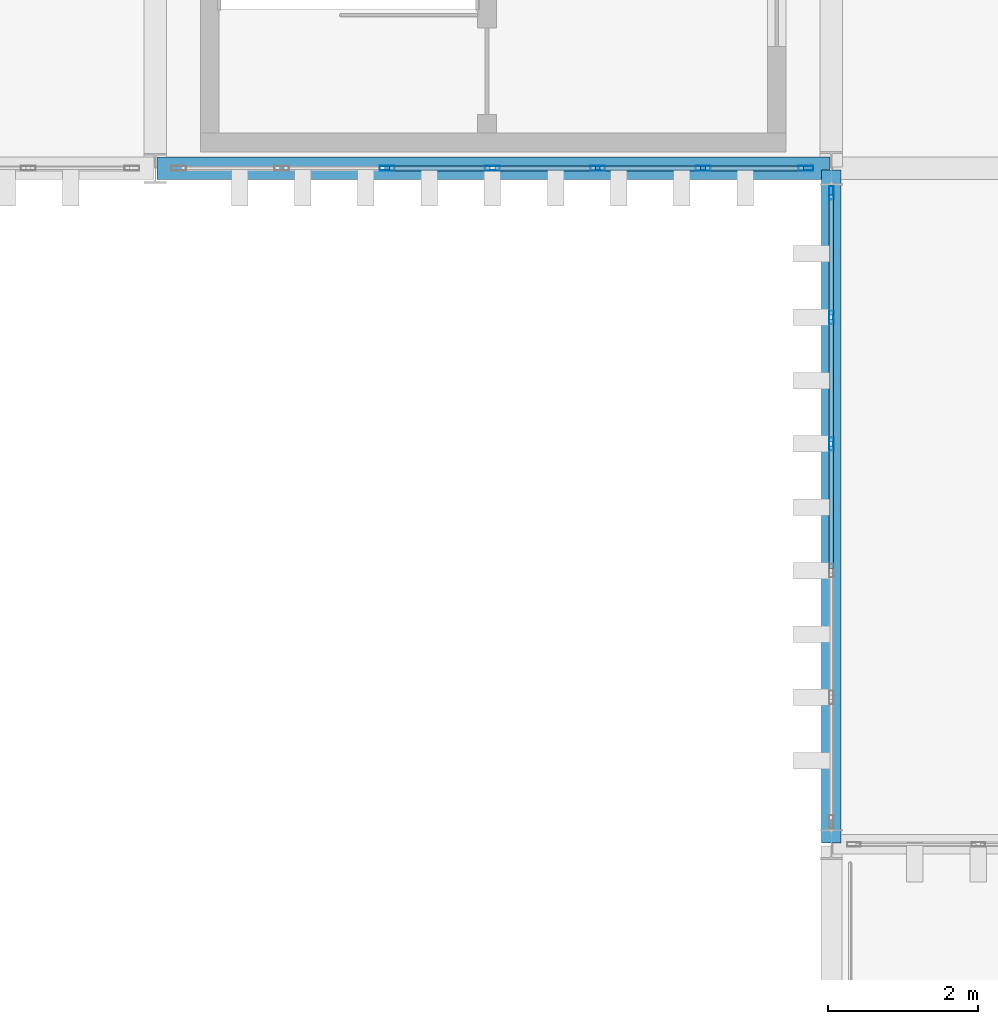
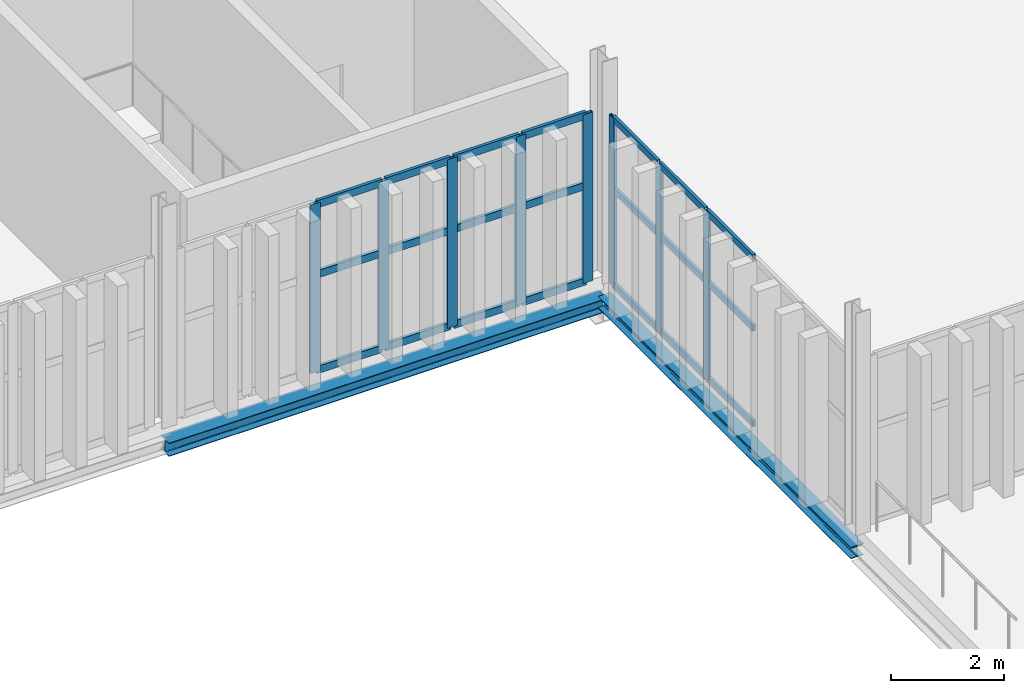
# One storey, part 40 of 196: 29 members, 2 beams, 2 elements without a shape of their own.
"""IFC4 building model written with IfcOpenShell, lengths in metres."""

from ifc_helpers import new_model, si_unit, direction, frame, origin, origin_2d, place, context, subcontext, project, spatial, hollow_rectangle, i_section, extrude, material, layer, layer_set, material_profile, profile_set, type_object, element, aggregate, save


model = new_model("IFC4")

# Units and contexts
model_context = context("Model", 3, precision=1e-05, world=origin(), true_north=direction((0.0, 1.0)))
body_context = subcontext(model_context, "Body", "Model", "MODEL_VIEW")
ifc_project = project(units=[si_unit("LENGTHUNIT", "METRE"), si_unit("AREAUNIT", "SQUARE_METRE"), si_unit("VOLUMEUNIT", "CUBIC_METRE"), si_unit("PLANEANGLEUNIT", "RADIAN"), si_unit("MASSUNIT", "GRAM", prefix="KILO")], contexts=[model_context])

# Site, building, storey
site_placement = place(None, origin())
site = spatial("IfcSite", under=ifc_project, at=site_placement, CompositionType="ELEMENT")
building_placement = place(site_placement, origin())
building = spatial("IfcBuilding", under=site, at=building_placement, Name="Barlavento Convention Centre", CompositionType="ELEMENT")
storey_placement = place(building_placement, frame((0.0, 0.0, 18.0)))
storey = spatial("IfcBuildingStorey", under=building, at=storey_placement, Name="L03", CompositionType="ELEMENT", Elevation=18.0)

# Curtain wall, members
ifc_material_1 = material(Name="Powder-coated aluminium and Low-E glass", Category="aluminium")
ifc_layer = layer(ifc_material_1, 0.179931640625)
ifc_layer_set = layer_set([ifc_layer], Name="ARC-CW-CONF-L03")
curtain_wall_type = type_object("IfcCurtainWallType", Name="ARC-CW-CONF-L03", PredefinedType="NOTDEFINED", material=ifc_layer_set)
curtain_wall_1_placement = place(storey_placement, origin())
curtain_wall_1 = element("IfcCurtainWall", 1, at=curtain_wall_1_placement, inside=storey, type_object=curtain_wall_type, Name="L03 unitised curtain wall CW08", PredefinedType="NOTDEFINED")
ifc_material_2 = material(Name="Powder-coated aluminium", Category="aluminium")
ifc_material_profile_1 = material_profile(ifc_material_2, hollow_rectangle(XDim=0.06005859375, YDim=0.179931640625, WallThickness=0.0048828125, at=origin_2d()), Name="AL-MULL 60x180x5")
ifc_profile_set_1 = profile_set([ifc_material_profile_1], Name="Powder-coated aluminium")
member_type_1 = type_object("IfcMemberType", Name="ARC-CWM-60X180", PredefinedType="MULLION", material=ifc_profile_set_1)
member_1_placement = place(storey_placement, frame((126.0, 41.3310546875, 0.0), z_axis=(0.0, 0.0, 1.0), x_axis=(-1.0, 0.0, 0.0)))
member_1 = element("IfcMember", 2, at=member_1_placement, type_object=member_type_1, Name="CW08 mullion 4", PredefinedType="MULLION", context=body_context, shape_type="SweptSolid", body=[
    extrude(hollow_rectangle(XDim=0.06005859375, YDim=0.179931640625, WallThickness=0.0048828125, at=origin_2d()), origin(), (0.0, 0.0, 1.0), 3.64990234375),
])
member_2_placement = place(storey_placement, frame((126.0, 43.01806640625, 0.0), z_axis=(0.0, 0.0, 1.0), x_axis=(-1.0, 0.0, 0.0)))
member_2 = element("IfcMember", 3, at=member_2_placement, type_object=member_type_1, Name="CW08 mullion 5", PredefinedType="MULLION", context=body_context, shape_type="SweptSolid", body=[
    extrude(hollow_rectangle(XDim=0.06005859375, YDim=0.179931640625, WallThickness=0.0048828125, at=origin_2d()), origin(), (0.0, 0.0, 1.0), 3.64990234375),
])
member_3_placement = place(storey_placement, frame((126.0, 44.675048828125, 0.0), z_axis=(0.0, 0.0, 1.0), x_axis=(-1.0, 0.0, 0.0)))
member_3 = element("IfcMember", 4, at=member_3_placement, type_object=member_type_1, Name="CW08 mullion 6", PredefinedType="MULLION", context=body_context, shape_type="SweptSolid", body=[
    extrude(hollow_rectangle(XDim=0.06005859375, YDim=0.179931640625, WallThickness=0.0048828125, at=origin_2d()), origin(), (0.0, 0.0, 1.0), 3.64990234375),
])

curtain_wall_2_placement = place(storey_placement, origin())
curtain_wall_2 = element("IfcCurtainWall", 5, at=curtain_wall_2_placement, inside=storey, type_object=curtain_wall_type, Name="L03 unitised curtain wall CW08", PredefinedType="NOTDEFINED")
ifc_material_profile_2 = material_profile(ifc_material_2, hollow_rectangle(XDim=0.06494140625, YDim=0.199951171875, WallThickness=0.0048828125, at=origin_2d()), Name="AL-MULL 65x200x5")
ifc_profile_set_2 = profile_set([ifc_material_profile_2], Name="Powder-coated aluminium")
member_type_2 = type_object("IfcMemberType", Name="ARC-CWM-65X200", PredefinedType="MULLION", material=ifc_profile_set_2)
member_4_placement = place(storey_placement, frame((120.0849609375, 45.0, 0.0), z_axis=(0.0, 0.0, 1.0), x_axis=(0.0, 1.0, 0.0)))
member_4 = element("IfcMember", 6, at=member_4_placement, type_object=member_type_2, Name="CW08 mullion 3", PredefinedType="MULLION", context=body_context, shape_type="SweptSolid", body=[
    extrude(hollow_rectangle(XDim=0.06494140625, YDim=0.199951171875, WallThickness=0.0048828125, at=origin_2d()), origin(), (0.0, 0.0, 1.0), 3.64990234375),
])
member_5_placement = place(storey_placement, frame((121.487548828125, 45.0, 0.0), z_axis=(0.0, 0.0, 1.0), x_axis=(0.0, 1.0, 0.0)))
member_5 = element("IfcMember", 7, at=member_5_placement, type_object=member_type_2, Name="CW08 mullion 4", PredefinedType="MULLION", context=body_context, shape_type="SweptSolid", body=[
    extrude(hollow_rectangle(XDim=0.06494140625, YDim=0.199951171875, WallThickness=0.0048828125, at=origin_2d()), origin(), (0.0, 0.0, 1.0), 3.64990234375),
])
member_6_placement = place(storey_placement, frame((122.889892578125, 45.0, 0.0), z_axis=(0.0, 0.0, 1.0), x_axis=(0.0, 1.0, 0.0)))
member_6 = element("IfcMember", 8, at=member_6_placement, type_object=member_type_2, Name="CW08 mullion 5", PredefinedType="MULLION", context=body_context, shape_type="SweptSolid", body=[
    extrude(hollow_rectangle(XDim=0.06494140625, YDim=0.199951171875, WallThickness=0.0048828125, at=origin_2d()), origin(), (0.0, 0.0, 1.0), 3.64990234375),
])
member_7_placement = place(storey_placement, frame((124.29248046875, 45.0, 0.0), z_axis=(0.0, 0.0, 1.0), x_axis=(0.0, 1.0, 0.0)))
member_7 = element("IfcMember", 9, at=member_7_placement, type_object=member_type_2, Name="CW08 mullion 6", PredefinedType="MULLION", context=body_context, shape_type="SweptSolid", body=[
    extrude(hollow_rectangle(XDim=0.06494140625, YDim=0.199951171875, WallThickness=0.0048828125, at=origin_2d()), origin(), (0.0, 0.0, 1.0), 3.64990234375),
])
member_8_placement = place(storey_placement, frame((125.66259765625, 45.0, 0.0), z_axis=(0.0, 0.0, 1.0), x_axis=(0.0, 1.0, 0.0)))
member_8 = element("IfcMember", 10, at=member_8_placement, type_object=member_type_2, Name="CW08 mullion 7", PredefinedType="MULLION", context=body_context, shape_type="SweptSolid", body=[
    extrude(hollow_rectangle(XDim=0.06494140625, YDim=0.199951171875, WallThickness=0.0048828125, at=origin_2d()), origin(), (0.0, 0.0, 1.0), 3.64990234375),
])

# Member
ifc_material_profile_3 = material_profile(ifc_material_2, hollow_rectangle(XDim=0.06005859375, YDim=0.139892578125, WallThickness=0.00390625, at=origin_2d()), Name="AL-TRAN 60x140x4")
ifc_profile_set_3 = profile_set([ifc_material_profile_3], Name="Powder-coated aluminium")
member_type_3 = type_object("IfcMemberType", Name="ARC-CWT-60X140", PredefinedType="USERDEFINED", material=ifc_profile_set_3)
member_9_placement = place(storey_placement, frame((126.0, 39.674072265625, 0.030029296875), z_axis=(0.0, 1.0, 0.0), x_axis=(-1.0, 0.0, 0.0)))
member_9 = element("IfcMember", 11, at=member_9_placement, type_object=member_type_3, Name="CW08 transom 3.1", ObjectType="TRANSOM", PredefinedType="USERDEFINED", context=body_context, shape_type="SweptSolid", body=[
    extrude(hollow_rectangle(XDim=0.06005859375, YDim=0.139892578125, WallThickness=0.00390625, at=origin_2d()), origin(), (0.0, 0.0, 1.0), 1.626953125),
])

member_10_placement = place(storey_placement, frame((126.0, 39.674072265625, 2.10009765625), z_axis=(0.0, 1.0, 0.0), x_axis=(-1.0, 0.0, 0.0)))
member_10 = element("IfcMember", 12, at=member_10_placement, type_object=member_type_3, Name="CW08 transom 3.2", ObjectType="TRANSOM", PredefinedType="USERDEFINED", context=body_context, shape_type="SweptSolid", body=[
    extrude(hollow_rectangle(XDim=0.06005859375, YDim=0.139892578125, WallThickness=0.00390625, at=origin_2d()), origin(), (0.0, 0.0, 1.0), 1.626953125),
])

member_11_placement = place(storey_placement, frame((126.0, 39.674072265625, 3.6201171875), z_axis=(0.0, 1.0, 0.0), x_axis=(-1.0, 0.0, 0.0)))
member_11 = element("IfcMember", 13, at=member_11_placement, type_object=member_type_3, Name="CW08 transom 3.3", ObjectType="TRANSOM", PredefinedType="USERDEFINED", context=body_context, shape_type="SweptSolid", body=[
    extrude(hollow_rectangle(XDim=0.06005859375, YDim=0.139892578125, WallThickness=0.00390625, at=origin_2d()), origin(), (0.0, 0.0, 1.0), 1.626953125),
])

member_12_placement = place(storey_placement, frame((126.0, 41.361083984375, 0.030029296875), z_axis=(0.0, 1.0, 0.0), x_axis=(-1.0, 0.0, 0.0)))
member_12 = element("IfcMember", 14, at=member_12_placement, type_object=member_type_3, Name="CW08 transom 4.1", ObjectType="TRANSOM", PredefinedType="USERDEFINED", context=body_context, shape_type="SweptSolid", body=[
    extrude(hollow_rectangle(XDim=0.06005859375, YDim=0.139892578125, WallThickness=0.00390625, at=origin_2d()), origin(), (0.0, 0.0, 1.0), 1.626953125),
])

member_13_placement = place(storey_placement, frame((126.0, 41.361083984375, 2.10009765625), z_axis=(0.0, 1.0, 0.0), x_axis=(-1.0, 0.0, 0.0)))
member_13 = element("IfcMember", 15, at=member_13_placement, type_object=member_type_3, Name="CW08 transom 4.2", ObjectType="TRANSOM", PredefinedType="USERDEFINED", context=body_context, shape_type="SweptSolid", body=[
    extrude(hollow_rectangle(XDim=0.06005859375, YDim=0.139892578125, WallThickness=0.00390625, at=origin_2d()), origin(), (0.0, 0.0, 1.0), 1.626953125),
])

member_14_placement = place(storey_placement, frame((126.0, 41.361083984375, 3.6201171875), z_axis=(0.0, 1.0, 0.0), x_axis=(-1.0, 0.0, 0.0)))
member_14 = element("IfcMember", 16, at=member_14_placement, type_object=member_type_3, Name="CW08 transom 4.3", ObjectType="TRANSOM", PredefinedType="USERDEFINED", context=body_context, shape_type="SweptSolid", body=[
    extrude(hollow_rectangle(XDim=0.06005859375, YDim=0.139892578125, WallThickness=0.00390625, at=origin_2d()), origin(), (0.0, 0.0, 1.0), 1.626953125),
])

member_15_placement = place(storey_placement, frame((126.0, 43.048095703125, 0.030029296875), z_axis=(0.0, 1.0, 0.0), x_axis=(-1.0, 0.0, 0.0)))
member_15 = element("IfcMember", 17, at=member_15_placement, type_object=member_type_3, Name="CW08 transom 5.1", ObjectType="TRANSOM", PredefinedType="USERDEFINED", context=body_context, shape_type="SweptSolid", body=[
    extrude(hollow_rectangle(XDim=0.06005859375, YDim=0.139892578125, WallThickness=0.00390625, at=origin_2d()), origin(), (0.0, 0.0, 1.0), 1.596923828125),
])

member_16_placement = place(storey_placement, frame((126.0, 43.048095703125, 2.10009765625), z_axis=(0.0, 1.0, 0.0), x_axis=(-1.0, 0.0, 0.0)))
member_16 = element("IfcMember", 18, at=member_16_placement, type_object=member_type_3, Name="CW08 transom 5.2", ObjectType="TRANSOM", PredefinedType="USERDEFINED", context=body_context, shape_type="SweptSolid", body=[
    extrude(hollow_rectangle(XDim=0.06005859375, YDim=0.139892578125, WallThickness=0.00390625, at=origin_2d()), origin(), (0.0, 0.0, 1.0), 1.596923828125),
])

member_17_placement = place(storey_placement, frame((126.0, 43.048095703125, 3.6201171875), z_axis=(0.0, 1.0, 0.0), x_axis=(-1.0, 0.0, 0.0)))
member_17 = element("IfcMember", 19, at=member_17_placement, type_object=member_type_3, Name="CW08 transom 5.3", ObjectType="TRANSOM", PredefinedType="USERDEFINED", context=body_context, shape_type="SweptSolid", body=[
    extrude(hollow_rectangle(XDim=0.06005859375, YDim=0.139892578125, WallThickness=0.00390625, at=origin_2d()), origin(), (0.0, 0.0, 1.0), 1.596923828125),
])

aggregate(curtain_wall_1, [member_1, member_2, member_3, member_9, member_10, member_11, member_12, member_13, member_14, member_15, member_16, member_17])

ifc_material_profile_4 = material_profile(ifc_material_2, hollow_rectangle(XDim=0.06494140625, YDim=0.159912109375, WallThickness=0.0048828125, at=origin_2d()), Name="AL-TRAN 65x160x5")
ifc_profile_set_4 = profile_set([ifc_material_profile_4], Name="Powder-coated aluminium")
member_type_4 = type_object("IfcMemberType", Name="ARC-CWT-65X160", PredefinedType="USERDEFINED", material=ifc_profile_set_4)
member_18_placement = place(storey_placement, frame((120.117431640625, 45.0, 0.032470703125), z_axis=(1.0, 0.0, 0.0), x_axis=(0.0, 1.0, 0.0)))
member_18 = element("IfcMember", 20, at=member_18_placement, type_object=member_type_4, Name="CW08 transom 3.1", ObjectType="TRANSOM", PredefinedType="USERDEFINED", context=body_context, shape_type="SweptSolid", body=[
    extrude(hollow_rectangle(XDim=0.06494140625, YDim=0.159912109375, WallThickness=0.0048828125, at=origin_2d()), origin(), (0.0, 0.0, 1.0), 1.337646484375),
])

member_19_placement = place(storey_placement, frame((120.117431640625, 45.0, 2.10009765625), z_axis=(1.0, 0.0, 0.0), x_axis=(0.0, 1.0, 0.0)))
member_19 = element("IfcMember", 21, at=member_19_placement, type_object=member_type_4, Name="CW08 transom 3.2", ObjectType="TRANSOM", PredefinedType="USERDEFINED", context=body_context, shape_type="SweptSolid", body=[
    extrude(hollow_rectangle(XDim=0.06494140625, YDim=0.159912109375, WallThickness=0.0048828125, at=origin_2d()), origin(), (0.0, 0.0, 1.0), 1.337646484375),
])

member_20_placement = place(storey_placement, frame((120.117431640625, 45.0, 3.617431640625), z_axis=(1.0, 0.0, 0.0), x_axis=(0.0, 1.0, 0.0)))
member_20 = element("IfcMember", 22, at=member_20_placement, type_object=member_type_4, Name="CW08 transom 3.3", ObjectType="TRANSOM", PredefinedType="USERDEFINED", context=body_context, shape_type="SweptSolid", body=[
    extrude(hollow_rectangle(XDim=0.06494140625, YDim=0.159912109375, WallThickness=0.0048828125, at=origin_2d()), origin(), (0.0, 0.0, 1.0), 1.337646484375),
])

member_21_placement = place(storey_placement, frame((121.52001953125, 45.0, 0.032470703125), z_axis=(1.0, 0.0, 0.0), x_axis=(0.0, 1.0, 0.0)))
member_21 = element("IfcMember", 23, at=member_21_placement, type_object=member_type_4, Name="CW08 transom 4.1", ObjectType="TRANSOM", PredefinedType="USERDEFINED", context=body_context, shape_type="SweptSolid", body=[
    extrude(hollow_rectangle(XDim=0.06494140625, YDim=0.159912109375, WallThickness=0.0048828125, at=origin_2d()), origin(), (0.0, 0.0, 1.0), 1.33740234375),
])

member_22_placement = place(storey_placement, frame((121.52001953125, 45.0, 2.10009765625), z_axis=(1.0, 0.0, 0.0), x_axis=(0.0, 1.0, 0.0)))
member_22 = element("IfcMember", 24, at=member_22_placement, type_object=member_type_4, Name="CW08 transom 4.2", ObjectType="TRANSOM", PredefinedType="USERDEFINED", context=body_context, shape_type="SweptSolid", body=[
    extrude(hollow_rectangle(XDim=0.06494140625, YDim=0.159912109375, WallThickness=0.0048828125, at=origin_2d()), origin(), (0.0, 0.0, 1.0), 1.33740234375),
])

member_23_placement = place(storey_placement, frame((121.52001953125, 45.0, 3.617431640625), z_axis=(1.0, 0.0, 0.0), x_axis=(0.0, 1.0, 0.0)))
member_23 = element("IfcMember", 25, at=member_23_placement, type_object=member_type_4, Name="CW08 transom 4.3", ObjectType="TRANSOM", PredefinedType="USERDEFINED", context=body_context, shape_type="SweptSolid", body=[
    extrude(hollow_rectangle(XDim=0.06494140625, YDim=0.159912109375, WallThickness=0.0048828125, at=origin_2d()), origin(), (0.0, 0.0, 1.0), 1.33740234375),
])

member_24_placement = place(storey_placement, frame((122.922607421875, 45.0, 0.032470703125), z_axis=(1.0, 0.0, 0.0), x_axis=(0.0, 1.0, 0.0)))
member_24 = element("IfcMember", 26, at=member_24_placement, type_object=member_type_4, Name="CW08 transom 5.1", ObjectType="TRANSOM", PredefinedType="USERDEFINED", context=body_context, shape_type="SweptSolid", body=[
    extrude(hollow_rectangle(XDim=0.06494140625, YDim=0.159912109375, WallThickness=0.0048828125, at=origin_2d()), origin(), (0.0, 0.0, 1.0), 1.33740234375),
])

member_25_placement = place(storey_placement, frame((122.922607421875, 45.0, 2.10009765625), z_axis=(1.0, 0.0, 0.0), x_axis=(0.0, 1.0, 0.0)))
member_25 = element("IfcMember", 27, at=member_25_placement, type_object=member_type_4, Name="CW08 transom 5.2", ObjectType="TRANSOM", PredefinedType="USERDEFINED", context=body_context, shape_type="SweptSolid", body=[
    extrude(hollow_rectangle(XDim=0.06494140625, YDim=0.159912109375, WallThickness=0.0048828125, at=origin_2d()), origin(), (0.0, 0.0, 1.0), 1.33740234375),
])

member_26_placement = place(storey_placement, frame((122.922607421875, 45.0, 3.617431640625), z_axis=(1.0, 0.0, 0.0), x_axis=(0.0, 1.0, 0.0)))
member_26 = element("IfcMember", 28, at=member_26_placement, type_object=member_type_4, Name="CW08 transom 5.3", ObjectType="TRANSOM", PredefinedType="USERDEFINED", context=body_context, shape_type="SweptSolid", body=[
    extrude(hollow_rectangle(XDim=0.06494140625, YDim=0.159912109375, WallThickness=0.0048828125, at=origin_2d()), origin(), (0.0, 0.0, 1.0), 1.33740234375),
])

member_27_placement = place(storey_placement, frame((124.324951171875, 45.0, 0.032470703125), z_axis=(1.0, 0.0, 0.0), x_axis=(0.0, 1.0, 0.0)))
member_27 = element("IfcMember", 29, at=member_27_placement, type_object=member_type_4, Name="CW08 transom 6.1", ObjectType="TRANSOM", PredefinedType="USERDEFINED", context=body_context, shape_type="SweptSolid", body=[
    extrude(hollow_rectangle(XDim=0.06494140625, YDim=0.159912109375, WallThickness=0.0048828125, at=origin_2d()), origin(), (0.0, 0.0, 1.0), 1.304931640625),
])

member_28_placement = place(storey_placement, frame((124.324951171875, 45.0, 2.10009765625), z_axis=(1.0, 0.0, 0.0), x_axis=(0.0, 1.0, 0.0)))
member_28 = element("IfcMember", 30, at=member_28_placement, type_object=member_type_4, Name="CW08 transom 6.2", ObjectType="TRANSOM", PredefinedType="USERDEFINED", context=body_context, shape_type="SweptSolid", body=[
    extrude(hollow_rectangle(XDim=0.06494140625, YDim=0.159912109375, WallThickness=0.0048828125, at=origin_2d()), origin(), (0.0, 0.0, 1.0), 1.304931640625),
])

member_29_placement = place(storey_placement, frame((124.324951171875, 45.0, 3.617431640625), z_axis=(1.0, 0.0, 0.0), x_axis=(0.0, 1.0, 0.0)))
member_29 = element("IfcMember", 31, at=member_29_placement, type_object=member_type_4, Name="CW08 transom 6.3", ObjectType="TRANSOM", PredefinedType="USERDEFINED", context=body_context, shape_type="SweptSolid", body=[
    extrude(hollow_rectangle(XDim=0.06494140625, YDim=0.159912109375, WallThickness=0.0048828125, at=origin_2d()), origin(), (0.0, 0.0, 1.0), 1.304931640625),
])

aggregate(curtain_wall_2, [member_4, member_5, member_6, member_7, member_8, member_18, member_19, member_20, member_21, member_22, member_23, member_24, member_25, member_26, member_27, member_28, member_29])

# Beams
ifc_material_3 = material(Name="Steel S355", Category="steel")
ifc_material_profile_5 = material_profile(ifc_material_3, i_section(OverallWidth=0.260009765625, OverallDepth=0.25, WebThickness=0.007568359375, FlangeThickness=0.012451171875, FilletRadius=0.02392578125, at=origin_2d()), Name="HEA 260")
ifc_profile_set_5 = profile_set([ifc_material_profile_5], Name="Steel S355")
beam_type_1 = type_object("IfcBeamType", Name="STR-BM-SPN-HEA260", PredefinedType="SPANDREL", material=ifc_profile_set_5)
beam_1_placement = place(storey_placement, frame((126.0, 36.02001953125, -0.514892578125), z_axis=(0.0, 1.0, 0.0), x_axis=(-1.0, 0.0, 0.0)))
element("IfcBeam", 32, at=beam_1_placement, inside=storey, type_object=beam_type_1, Name="L03 grid girder SP04", PredefinedType="SPANDREL", context=body_context, shape_type="SweptSolid", body=[
    extrude(i_section(OverallWidth=0.260009765625, OverallDepth=0.25, WebThickness=0.007568359375, FlangeThickness=0.012451171875, FilletRadius=0.02392578125, at=origin_2d()), origin(), (0.0, 0.0, 1.0), 8.9599609375),
])
ifc_material_profile_6 = material_profile(ifc_material_3, i_section(OverallWidth=0.300048828125, OverallDepth=0.2900390625, WebThickness=0.008544921875, FlangeThickness=0.013916015625, FilletRadius=0.027099609375, at=origin_2d()), Name="HEA 300")
ifc_profile_set_6 = profile_set([ifc_material_profile_6], Name="Steel S355")
beam_type_2 = type_object("IfcBeamType", Name="STR-BM-SPN-HEA300", PredefinedType="SPANDREL", material=ifc_profile_set_6)
beam_2_placement = place(storey_placement, frame((117.02001953125, 45.0, -0.534912109375), z_axis=(1.0, 0.0, 0.0), x_axis=(0.0, 1.0, 0.0)))
element("IfcBeam", 33, at=beam_2_placement, inside=storey, type_object=beam_type_2, Name="L03 primary girder SP02", PredefinedType="SPANDREL", context=body_context, shape_type="SweptSolid", body=[
    extrude(i_section(OverallWidth=0.300048828125, OverallDepth=0.2900390625, WebThickness=0.008544921875, FlangeThickness=0.013916015625, FilletRadius=0.027099609375, at=origin_2d()), origin(), (0.0, 0.0, 1.0), 8.9599609375),
])

save(model, "model.ifc")
